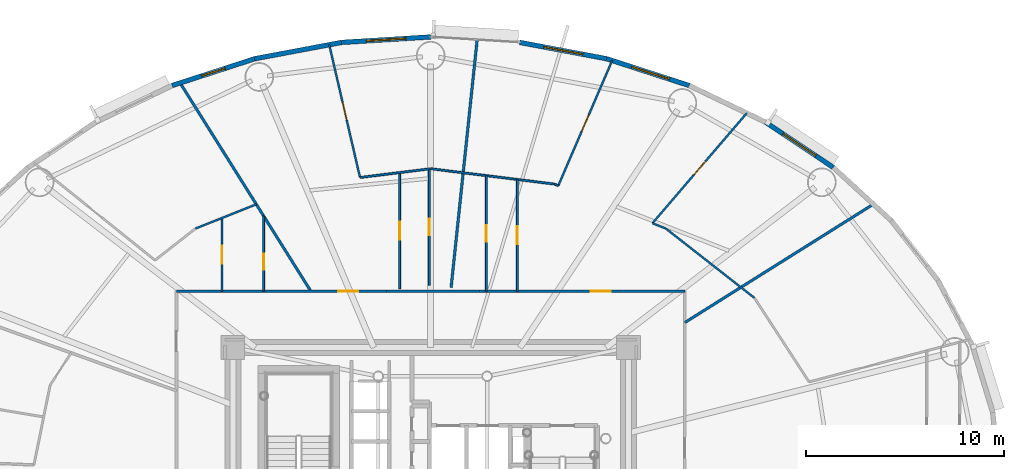
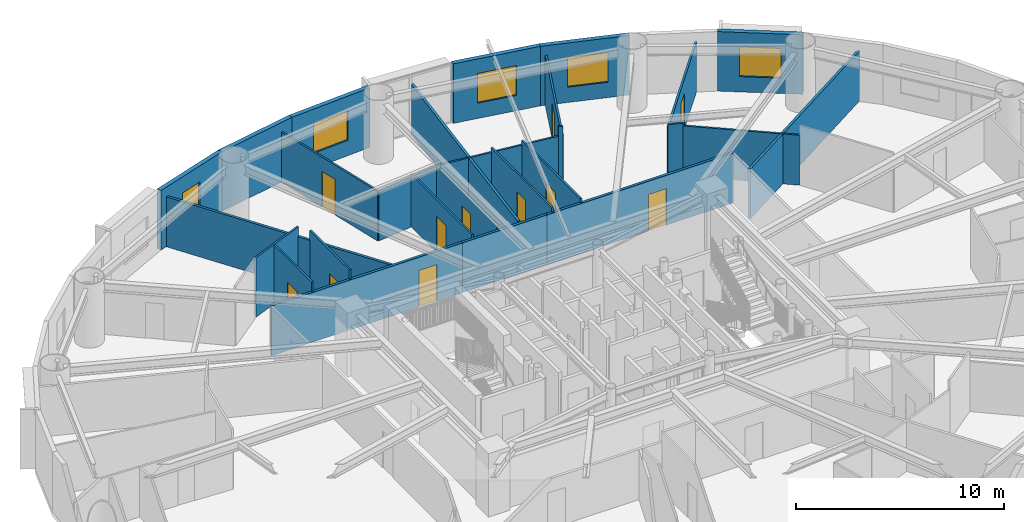
# One storey, part 12 of 18: 27 walls, 11 doors, 5 windows, 16 openings.
"""IFC4 building model written with IfcOpenShell, lengths in metres."""

from ifc_helpers import new_model, si_unit, direction, frame, frame_2d, origin, origin_2d, place, context, subcontext, project, spatial, rectangle, extrude, source, transform, mapped, material, layer, layer_set, type_object, element, fill, save


model = new_model("IFC4")

# Units and contexts
model_context = context("Model", 3, precision=1e-05, world=origin(), true_north=direction((0.0, 1.0)))
body_context = subcontext(model_context, "Body", "Model", "MODEL_VIEW")
ifc_project = project(units=[si_unit("LENGTHUNIT", "METRE"), si_unit("AREAUNIT", "SQUARE_METRE"), si_unit("VOLUMEUNIT", "CUBIC_METRE"), si_unit("PLANEANGLEUNIT", "RADIAN"), si_unit("MASSUNIT", "GRAM", prefix="KILO")], contexts=[model_context])

# Site, building, storey
site_placement = place(None, origin())
site = spatial("IfcSite", under=ifc_project, at=site_placement, CompositionType="ELEMENT")
building_placement = place(site_placement, origin())
building = spatial("IfcBuilding", under=site, at=building_placement, Name="Linh Dai School and Residence Tower", CompositionType="ELEMENT")
storey_placement = place(building_placement, frame((0.0, 0.0, 123.449951171875)))
storey = spatial("IfcBuildingStorey", under=building, at=storey_placement, Name="L29", CompositionType="ELEMENT", Elevation=123.449951171875)

# Wall, opening, window
ifc_material_1 = material(Name="Precast Concrete B45 (C35/45)", Category="concrete")
ifc_layer_1 = layer(ifc_material_1, 0.239990234375)
ifc_layer_set_1 = layer_set([ifc_layer_1], Name="Precast Concrete B45 (C35/45)")
wall_type_1 = type_object("IfcWallType", Name="EW-TC-240", PredefinedType="SOLIDWALL", material=ifc_layer_set_1)
wall_1_placement = place(storey_placement, frame((52.92529296875, 45.199462890625, 0.0), z_axis=(0.0, 0.0, 1.0), x_axis=(0.831221811447, -0.555940914284, 0.0)))
wall_1 = element("IfcWall", 1, at=wall_1_placement, inside=storey, type_object=wall_type_1, Name="L29 Terracotta Exterior Wall 06", PredefinedType="SOLIDWALL", context=body_context, shape_type="SweptSolid", body=[
    extrude(rectangle(XDim=4.130126953125, YDim=0.239990234375, at=frame_2d((2.06494140625, 0.0))), origin(), (0.0, 0.0, 1.0), 3.5),
])
opening_1_placement = place(wall_1_placement, frame((1.06494140625, 0.0, 0.89990234375)))
opening_1 = element("IfcOpeningElement", 2, at=opening_1_placement, cuts=wall_1, Name="Opening W1", PredefinedType="OPENING", context=body_context, shape_type="SweptSolid", body=[
    extrude(rectangle(XDim=2.0, YDim=1.75, at=origin_2d()), frame((1.0, 0.1298828125, 0.875), z_axis=(0.0, -1.0, 0.0), x_axis=(1.0, 0.0, 0.0)), (0.0, 0.0, 1.0), 0.260009765625),
])
ifc_material_2 = material(Name="Double Low-E Insulated Glazing", Category="glass")
window_type_1 = type_object("IfcWindowType", Name="WN-RES-2000x1750", PartitioningType="DOUBLE_PANEL_VERTICAL", PredefinedType="WINDOW", material=ifc_material_2)
shared_shape_1 = source(origin(), body_context, "Body", "SweptSolid", [
    extrude(rectangle(XDim=2.0, YDim=1.75, at=origin_2d()), frame((1.0, 0.030029296875, 0.875), z_axis=(0.0, -1.0, 0.0), x_axis=(1.0, 0.0, 0.0)), (0.0, 0.0, 1.0), 0.06005859375),
])
window_1_placement = place(opening_1_placement, origin())
window_1 = element("IfcWindow", 3, at=window_1_placement, inside=storey, type_object=window_type_1, Name="L29 Exterior Window 06.1", OverallHeight=1.75, OverallWidth=2.0, PartitioningType="DOUBLE_PANEL_VERTICAL", PredefinedType="WINDOW", context=body_context, shape_type="MappedRepresentation", body=[
    mapped(shared_shape_1, transform((0.0, 0.0, 0.0), x_axis=(1.0, 0.0, 0.0), y_axis=(0.0, 1.0, 0.0), z_axis=(0.0, 0.0, 1.0), scale=1.0)),
])
fill(opening_1, window_1)

wall_2_placement = place(storey_placement, frame((44.899658203125, 48.4013671875, 0.0), z_axis=(0.0, 0.0, 1.0), x_axis=(0.951211346073, -0.308540070495, 0.0)))
wall_2 = element("IfcWall", 4, at=wall_2_placement, inside=storey, type_object=wall_type_1, Name="L29 Terracotta Exterior Wall 08", PredefinedType="SOLIDWALL", context=body_context, shape_type="SweptSolid", body=[
    extrude(rectangle(XDim=4.388427734375, YDim=0.239990234375, at=frame_2d((2.1943359375, 0.0))), origin(), (0.0, 0.0, 1.0), 3.5),
])
opening_2_placement = place(wall_2_placement, frame((1.329345703125, 0.0, 0.89990234375)))
opening_2 = element("IfcOpeningElement", 5, at=opening_2_placement, cuts=wall_2, Name="Opening W1", PredefinedType="OPENING", context=body_context, shape_type="SweptSolid", body=[
    extrude(rectangle(XDim=2.0, YDim=1.75, at=origin_2d()), frame((1.0, 0.1298828125, 0.875), z_axis=(0.0, -1.0, 0.0), x_axis=(1.0, 0.0, 0.0)), (0.0, 0.0, 1.0), 0.260009765625),
])
window_2_placement = place(opening_2_placement, origin())
window_2 = element("IfcWindow", 6, at=window_2_placement, inside=storey, type_object=window_type_1, Name="L29 Exterior Window 08.1", OverallHeight=1.75, OverallWidth=2.0, PartitioningType="DOUBLE_PANEL_VERTICAL", PredefinedType="WINDOW", context=body_context, shape_type="MappedRepresentation", body=[
    mapped(shared_shape_1, transform((0.0, 0.0, 0.0), x_axis=(1.0, 0.0, 0.0), y_axis=(0.0, 1.0, 0.0), z_axis=(0.0, 0.0, 1.0), scale=1.0)),
])
fill(opening_2, window_2)

wall_3_placement = place(storey_placement, frame((40.505615234375, 49.227294921875, 0.0), z_axis=(0.0, 0.0, 1.0), x_axis=(0.982789252177, -0.184730305596, 0.0)))
wall_3 = element("IfcWall", 7, at=wall_3_placement, inside=storey, type_object=wall_type_1, Name="L29 Terracotta Exterior Wall 09", PredefinedType="SOLIDWALL", context=body_context, shape_type="SweptSolid", body=[
    extrude(rectangle(XDim=4.470947265625, YDim=0.239990234375, at=frame_2d((2.2353515625, 0.0))), origin(), (0.0, 0.0, 1.0), 3.5),
])
opening_3_placement = place(wall_3_placement, frame((1.235595703125, 0.0, 0.89990234375)))
opening_3 = element("IfcOpeningElement", 8, at=opening_3_placement, cuts=wall_3, Name="Opening W1", PredefinedType="OPENING", context=body_context, shape_type="SweptSolid", body=[
    extrude(rectangle(XDim=2.0, YDim=1.75, at=origin_2d()), frame((1.0, 0.1298828125, 0.875), z_axis=(0.0, -1.0, 0.0), x_axis=(1.0, 0.0, 0.0)), (0.0, 0.0, 1.0), 0.260009765625),
])
window_3_placement = place(opening_3_placement, origin())
window_3 = element("IfcWindow", 9, at=window_3_placement, inside=storey, type_object=window_type_1, Name="L29 Exterior Window 09.1", OverallHeight=1.75, OverallWidth=2.0, PartitioningType="DOUBLE_PANEL_VERTICAL", PredefinedType="WINDOW", context=body_context, shape_type="MappedRepresentation", body=[
    mapped(shared_shape_1, transform((0.0, 0.0, 0.0), x_axis=(1.0, 0.0, 0.0), y_axis=(0.0, 1.0, 0.0), z_axis=(0.0, 0.0, 1.0), scale=1.0)),
])
fill(opening_3, window_3)

wall_4_placement = place(storey_placement, frame((31.494384765625, 49.227294921875, 0.0), z_axis=(0.0, 0.0, 1.0), x_axis=(0.998107531589, 0.061492726276, 0.0)))
wall_4 = element("IfcWall", 10, at=wall_4_placement, inside=storey, type_object=wall_type_1, Name="L29 Terracotta Exterior Wall 11", PredefinedType="SOLIDWALL", context=body_context, shape_type="SweptSolid", body=[
    extrude(rectangle(XDim=4.51416015625, YDim=0.239990234375, at=frame_2d((2.257080078125, 0.0))), origin(), (0.0, 0.0, 1.0), 3.5),
])
opening_4_placement = place(wall_4_placement, frame((1.257080078125, 0.0, 0.89990234375)))
opening_4 = element("IfcOpeningElement", 11, at=opening_4_placement, cuts=wall_4, Name="Opening W1", PredefinedType="OPENING", context=body_context, shape_type="SweptSolid", body=[
    extrude(rectangle(XDim=2.0, YDim=1.75, at=origin_2d()), frame((1.0, 0.1298828125, 0.875), z_axis=(0.0, -1.0, 0.0), x_axis=(1.0, 0.0, 0.0)), (0.0, 0.0, 1.0), 0.260009765625),
])
window_4_placement = place(opening_4_placement, origin())
window_4 = element("IfcWindow", 12, at=window_4_placement, inside=storey, type_object=window_type_1, Name="L29 Exterior Window 11.1", OverallHeight=1.75, OverallWidth=2.0, PartitioningType="DOUBLE_PANEL_VERTICAL", PredefinedType="WINDOW", context=body_context, shape_type="MappedRepresentation", body=[
    mapped(shared_shape_1, transform((0.0, 0.0, 0.0), x_axis=(1.0, 0.0, 0.0), y_axis=(0.0, 1.0, 0.0), z_axis=(0.0, 0.0, 1.0), scale=1.0)),
])
fill(opening_4, window_4)

# Wall
wall_5_placement = place(storey_placement, frame((27.100341796875, 48.4013671875, 0.0), z_axis=(0.0, 0.0, 1.0), x_axis=(0.982789252177, 0.184730305596, 0.0)))
element("IfcWall", 13, at=wall_5_placement, inside=storey, type_object=wall_type_1, Name="L29 Terracotta Exterior Wall 12", PredefinedType="SOLIDWALL", context=body_context, shape_type="SweptSolid", body=[
    extrude(rectangle(XDim=4.470947265625, YDim=0.239990234375, at=frame_2d((2.2353515625, 0.0))), origin(), (0.0, 0.0, 1.0), 3.5),
])

# Wall, opening, window
wall_6_placement = place(storey_placement, frame((22.926025390625, 47.04736328125, 0.0), z_axis=(0.0, 0.0, 1.0), x_axis=(0.951211346073, 0.308540070495, 0.0)))
wall_6 = element("IfcWall", 14, at=wall_6_placement, inside=storey, type_object=wall_type_1, Name="L29 Terracotta Exterior Wall 13", PredefinedType="SOLIDWALL", context=body_context, shape_type="SweptSolid", body=[
    extrude(rectangle(XDim=4.388427734375, YDim=0.239990234375, at=frame_2d((2.1943359375, 0.0))), origin(), (0.0, 0.0, 1.0), 3.5),
])
opening_5_placement = place(wall_6_placement, frame((1.569091796875, 0.0, 0.89990234375)))
opening_5 = element("IfcOpeningElement", 15, at=opening_5_placement, cuts=wall_6, Name="Opening W3", PredefinedType="OPENING", context=body_context, shape_type="SweptSolid", body=[
    extrude(rectangle(XDim=1.25, YDim=1.64990234375, at=origin_2d()), frame((0.625, 0.1298828125, 0.824951171875), z_axis=(0.0, -1.0, 0.0), x_axis=(1.0, 0.0, 0.0)), (0.0, 0.0, 1.0), 0.260009765625),
])
window_type_2 = type_object("IfcWindowType", Name="WN-RES-1250x1650", PartitioningType="SINGLE_PANEL", PredefinedType="WINDOW", material=ifc_material_2)
shared_shape_2 = source(origin(), body_context, "Body", "SweptSolid", [
    extrude(rectangle(XDim=1.25, YDim=1.64990234375, at=origin_2d()), frame((0.625, 0.030029296875, 0.824951171875), z_axis=(0.0, -1.0, 0.0), x_axis=(1.0, 0.0, 0.0)), (0.0, 0.0, 1.0), 0.06005859375),
])
window_5_placement = place(opening_5_placement, origin())
window_5 = element("IfcWindow", 16, at=window_5_placement, inside=storey, type_object=window_type_2, Name="L29 Dwelling Window U2901-LIV", OverallHeight=1.64990234375, OverallWidth=1.25, PartitioningType="SINGLE_PANEL", PredefinedType="WINDOW", context=body_context, shape_type="MappedRepresentation", body=[
    mapped(shared_shape_2, transform((0.0, 0.0, 0.0), x_axis=(1.0, 0.0, 0.0), y_axis=(0.0, 1.0, 0.0), z_axis=(0.0, 0.0, 1.0), scale=1.0)),
])
fill(opening_5, window_5)

# Wall, opening, door
ifc_material_3 = material(Name="Autoclaved Aerated Concrete Blockwork", Category="masonry")
ifc_layer_2 = layer(ifc_material_3, 0.135009765625)
ifc_layer_set_2 = layer_set([ifc_layer_2], Name="Autoclaved Aerated Concrete Blockwork")
wall_type_2 = type_object("IfcWallType", Name="IW-CORR-135-EI90", PredefinedType="PARTITIONING", material=ifc_layer_set_2)
wall_7_placement = place(storey_placement, frame((23.14990234375, 36.64990234375, 0.0), z_axis=(0.0, 0.0, 1.0), x_axis=(1.0, 0.0, 0.0)))
wall_7 = element("IfcWall", 17, at=wall_7_placement, inside=storey, type_object=wall_type_2, Name="L29 Interior Partition Wall 019", PredefinedType="PARTITIONING", context=body_context, shape_type="SweptSolid", body=[
    extrude(rectangle(XDim=10.61181640625, YDim=0.135009765625, at=frame_2d((5.305908203125, 0.0))), origin(), (0.0, 0.0, 1.0), 2.93505859375),
])
opening_6_placement = place(wall_7_placement, frame((8.18212890625, 0.0, 0.0)))
opening_6 = element("IfcOpeningElement", 18, at=opening_6_placement, cuts=wall_7, Name="Opening D03", PredefinedType="OPENING", context=body_context, shape_type="SweptSolid", body=[
    extrude(rectangle(XDim=1.0, YDim=2.14990234375, at=origin_2d()), frame((0.5, 0.07763671875, 1.074951171875), z_axis=(0.0, -1.0, 0.0), x_axis=(1.0, 0.0, 0.0)), (0.0, 0.0, 1.0), 0.155029296875),
])
ifc_material_4 = material(Name="Fire-Rated Solid Timber Entrance Door", Category="wood")
door_type_1 = type_object("IfcDoorType", Name="DR-FLAT-1000x2150-FD60S", OperationType="NOTDEFINED", PredefinedType="DOOR", material=ifc_material_4)
shared_shape_3 = source(origin(), body_context, "Body", "SweptSolid", [
    extrude(rectangle(XDim=1.0, YDim=2.14990234375, at=origin_2d()), frame((0.5, 0.02490234375, 1.074951171875), z_axis=(0.0, -1.0, 0.0), x_axis=(1.0, 0.0, 0.0)), (0.0, 0.0, 1.0), 0.050048828125),
])
door_1_placement = place(opening_6_placement, origin())
door_1 = element("IfcDoor", 19, at=door_1_placement, inside=storey, type_object=door_type_1, Name="L29 U2901 Apartment Entrance Door", OperationType="SINGLE_SWING_LEFT", OverallHeight=2.14990234375, OverallWidth=1.0, PredefinedType="DOOR", context=body_context, shape_type="MappedRepresentation", body=[
    mapped(shared_shape_3, transform((0.0, 0.0, 0.0), x_axis=(1.0, 0.0, 0.0), y_axis=(0.0, 1.0, 0.0), z_axis=(0.0, 0.0, 1.0), scale=1.0)),
])
fill(opening_6, door_1)

# Walls
wall_8_placement = place(storey_placement, frame((23.330078125, 47.18359375, 0.0), z_axis=(0.0, 0.0, 1.0), x_axis=(0.531660079213, -0.846957826678, 0.0)))
element("IfcWall", 20, at=wall_8_placement, inside=storey, type_object=wall_type_2, Name="L29 Interior Partition Wall 020", PredefinedType="PARTITIONING", context=body_context, shape_type="SweptSolid", body=[
    extrude(rectangle(XDim=12.43701171875, YDim=0.135009765625, at=frame_2d((6.218505859375, 0.0))), origin(), (0.0, 0.0, 1.0), 2.93505859375),
])
wall_9_placement = place(storey_placement, frame((37.032958984375, 36.8291015625, 0.0), z_axis=(0.0, 0.0, 1.0), x_axis=(0.104530526966, 0.994521678463, 0.0)))
element("IfcWall", 21, at=wall_9_placement, inside=storey, type_object=wall_type_2, Name="L29 Interior Partition Wall 059", PredefinedType="PARTITIONING", context=body_context, shape_type="SweptSolid", body=[
    extrude(rectangle(XDim=12.605224609375, YDim=0.135009765625, at=frame_2d((6.302734375, 0.0))), origin(), (0.0, 0.0, 1.0), 2.93505859375),
])

# Wall, opening, door
wall_10_placement = place(storey_placement, frame((38.47705078125, 36.64990234375, 0.0), z_axis=(0.0, 0.0, 1.0), x_axis=(1.0, 0.0, 0.0)))
wall_10 = element("IfcWall", 22, at=wall_10_placement, inside=storey, type_object=wall_type_2, Name="L29 Interior Partition Wall 061", PredefinedType="PARTITIONING", context=body_context, shape_type="SweptSolid", body=[
    extrude(rectangle(XDim=10.373046875, YDim=0.135009765625, at=frame_2d((5.1865234375, 0.0))), origin(), (0.0, 0.0, 1.0), 2.93505859375),
])
opening_7_placement = place(wall_10_placement, frame((5.62109375, 0.0, 0.0)))
opening_7 = element("IfcOpeningElement", 23, at=opening_7_placement, cuts=wall_10, Name="Opening D03", PredefinedType="OPENING", context=body_context, shape_type="SweptSolid", body=[
    extrude(rectangle(XDim=1.0, YDim=2.14990234375, at=origin_2d()), frame((0.5, 0.07763671875, 1.074951171875), z_axis=(0.0, -1.0, 0.0), x_axis=(1.0, 0.0, 0.0)), (0.0, 0.0, 1.0), 0.155029296875),
])
door_2_placement = place(opening_7_placement, origin())
door_2 = element("IfcDoor", 24, at=door_2_placement, inside=storey, type_object=door_type_1, Name="L29 U2908 Apartment Entrance Door", OperationType="SINGLE_SWING_RIGHT", OverallHeight=2.14990234375, OverallWidth=1.0, PredefinedType="DOOR", context=body_context, shape_type="MappedRepresentation", body=[
    mapped(shared_shape_3, transform((0.0, 0.0, 0.0), x_axis=(1.0, 0.0, 0.0), y_axis=(0.0, 1.0, 0.0), z_axis=(0.0, 0.0, 1.0), scale=1.0)),
])
fill(opening_7, door_2)

# Walls
wall_11_placement = place(storey_placement, frame((48.85009765625, 35.06640625, 0.0), z_axis=(0.0, 0.0, 1.0), x_axis=(0.846963568038, 0.531650932866, 0.0)))
element("IfcWall", 25, at=wall_11_placement, inside=storey, type_object=wall_type_2, Name="L29 Interior Partition Wall 088", PredefinedType="PARTITIONING", context=body_context, shape_type="SweptSolid", body=[
    extrude(rectangle(XDim=11.258056640625, YDim=0.135009765625, at=frame_2d((5.62890625, 0.0))), origin(), (0.0, 0.0, 1.0), 2.93505859375),
])
wall_12_placement = place(storey_placement, frame((33.771728515625, 36.64990234375, 0.0), z_axis=(0.0, 0.0, 1.0), x_axis=(1.0, 0.0, 0.0)))
element("IfcWall", 26, at=wall_12_placement, inside=storey, type_object=wall_type_2, Name="L29 Interior Partition Wall 108", PredefinedType="PARTITIONING", context=body_context, shape_type="SweptSolid", body=[
    extrude(rectangle(XDim=4.6953125, YDim=0.135009765625, at=frame_2d((2.34765625, 0.0))), origin(), (0.0, 0.0, 1.0), 2.93505859375),
])
ifc_material_5 = material(Name="Gypsum Plasterboard Acoustic Stud Partition", Category="masonry")
ifc_layer_3 = layer(ifc_material_5, 0.10009765625)
ifc_layer_set_3 = layer_set([ifc_layer_3], Name="Gypsum Plasterboard Acoustic Stud Partition")
wall_type_3 = type_object("IfcWallType", Name="IW-UNIT-100", PredefinedType="PARTITIONING", material=ifc_layer_set_3)
wall_13_placement = place(storey_placement, frame((24.109130859375, 39.815673828125, 0.0), z_axis=(0.0, 0.0, 1.0), x_axis=(0.928811896505, 0.370551563092, 0.0)))
element("IfcWall", 27, at=wall_13_placement, inside=storey, type_object=wall_type_3, Name="L29 Interior Partition Wall 022", PredefinedType="PARTITIONING", context=body_context, shape_type="SweptSolid", body=[
    extrude(rectangle(XDim=3.3115234375, YDim=0.10009765625, at=frame_2d((1.65576171875, 0.0))), origin(), (0.0, 0.0, 1.0), 3.5),
])

# Wall, opening, door
wall_14_placement = place(storey_placement, frame((25.45068359375, 36.64990234375, 0.0), z_axis=(0.0, 0.0, 1.0), x_axis=(0.0, 1.0, 0.0)))
wall_14 = element("IfcWall", 28, at=wall_14_placement, inside=storey, type_object=wall_type_3, Name="L29 Interior Partition Wall 023", PredefinedType="PARTITIONING", context=body_context, shape_type="SweptSolid", body=[
    extrude(rectangle(XDim=3.700927734375, YDim=0.10009765625, at=frame_2d((1.8505859375, 0.0))), origin(), (0.0, 0.0, 1.0), 3.5),
])
opening_8_placement = place(wall_14_placement, frame((1.400390625, 0.0, 0.0)))
opening_8 = element("IfcOpeningElement", 29, at=opening_8_placement, cuts=wall_14, Name="Opening D05", PredefinedType="OPENING", context=body_context, shape_type="SweptSolid", body=[
    extrude(rectangle(XDim=0.89990234375, YDim=2.10009765625, at=origin_2d()), frame((0.449951171875, 0.06005859375, 1.050048828125), z_axis=(0.0, -1.0, 0.0), x_axis=(1.0, 0.0, 0.0)), (0.0, 0.0, 1.0), 0.1201171875),
])
ifc_material_6 = material(Name="Engineered Timber Internal Door", Category="wood")
door_type_2 = type_object("IfcDoorType", Name="DR-INT-900x2100", OperationType="NOTDEFINED", PredefinedType="DOOR", material=ifc_material_6)
shared_shape_4 = source(origin(), body_context, "Body", "SweptSolid", [
    extrude(rectangle(XDim=0.89990234375, YDim=2.10009765625, at=origin_2d()), frame((0.449951171875, 0.02490234375, 1.050048828125), z_axis=(0.0, -1.0, 0.0), x_axis=(1.0, 0.0, 0.0)), (0.0, 0.0, 1.0), 0.050048828125),
])
door_3_placement = place(opening_8_placement, origin())
door_3 = element("IfcDoor", 30, at=door_3_placement, inside=storey, type_object=door_type_2, Name="L29 Apartment U2902 Kitchen Door", OperationType="SINGLE_SWING_LEFT", OverallHeight=2.10009765625, OverallWidth=0.89990234375, PredefinedType="DOOR", context=body_context, shape_type="MappedRepresentation", body=[
    mapped(shared_shape_4, transform((0.0, 0.0, 0.0), x_axis=(1.0, 0.0, 0.0), y_axis=(0.0, 1.0, 0.0), z_axis=(0.0, 0.0, 1.0), scale=1.0)),
])
fill(opening_8, door_3)

wall_15_placement = place(storey_placement, frame((27.55322265625, 36.64990234375, 0.0), z_axis=(0.0, 0.0, 1.0), x_axis=(0.0, 1.0, 0.0)))
wall_15 = element("IfcWall", 31, at=wall_15_placement, inside=storey, type_object=wall_type_3, Name="L29 Interior Partition Wall 024", PredefinedType="PARTITIONING", context=body_context, shape_type="SweptSolid", body=[
    extrude(rectangle(XDim=3.80615234375, YDim=0.10009765625, at=frame_2d((1.903076171875, 0.0))), origin(), (0.0, 0.0, 1.0), 3.5),
])
opening_9_placement = place(wall_15_placement, frame((1.0810546875, 0.0, 0.0)))
opening_9 = element("IfcOpeningElement", 32, at=opening_9_placement, cuts=wall_15, Name="Opening D06", PredefinedType="OPENING", context=body_context, shape_type="SweptSolid", body=[
    extrude(rectangle(XDim=0.820068359375, YDim=2.10009765625, at=origin_2d()), frame((0.41015625, 0.06005859375, 1.050048828125), z_axis=(0.0, -1.0, 0.0), x_axis=(1.0, 0.0, 0.0)), (0.0, 0.0, 1.0), 0.1201171875),
])
ifc_material_7 = material(Name="Moisture-Resistant Timber Bathroom Door", Category="wood")
door_type_3 = type_object("IfcDoorType", Name="DR-WET-820x2100", OperationType="NOTDEFINED", PredefinedType="DOOR", material=ifc_material_7)
shared_shape_5 = source(origin(), body_context, "Body", "SweptSolid", [
    extrude(rectangle(XDim=0.820068359375, YDim=2.10009765625, at=origin_2d()), frame((0.41015625, 0.02490234375, 1.050048828125), z_axis=(0.0, -1.0, 0.0), x_axis=(1.0, 0.0, 0.0)), (0.0, 0.0, 1.0), 0.050048828125),
])
door_4_placement = place(opening_9_placement, origin())
door_4 = element("IfcDoor", 33, at=door_4_placement, inside=storey, type_object=door_type_3, Name="L29 Apartment U2902 Bathroom 1 Door", OperationType="SINGLE_SWING_RIGHT", OverallHeight=2.10009765625, OverallWidth=0.820068359375, PredefinedType="DOOR", context=body_context, shape_type="MappedRepresentation", body=[
    mapped(shared_shape_5, transform((0.0, 0.0, 0.0), x_axis=(1.0, 0.0, 0.0), y_axis=(0.0, 1.0, 0.0), z_axis=(0.0, 0.0, 1.0), scale=1.0)),
])
fill(opening_9, door_4)

wall_16_placement = place(storey_placement, frame((30.870361328125, 49.114990234375, 0.0), z_axis=(0.0, 0.0, 1.0), x_axis=(0.225963524246, -0.97413576349, 0.0)))
wall_16 = element("IfcWall", 34, at=wall_16_placement, inside=storey, type_object=wall_type_3, Name="L29 Interior Partition Wall 028", PredefinedType="PARTITIONING", context=body_context, shape_type="SweptSolid", body=[
    extrude(rectangle(XDim=6.895263671875, YDim=0.10009765625, at=frame_2d((3.44775390625, 0.0))), origin(), (0.0, 0.0, 1.0), 2.93505859375),
])
opening_10_placement = place(wall_16_placement, frame((2.997802734375, 0.0, 0.0)))
opening_10 = element("IfcOpeningElement", 35, at=opening_10_placement, cuts=wall_16, Name="Opening D05", PredefinedType="OPENING", context=body_context, shape_type="SweptSolid", body=[
    extrude(rectangle(XDim=0.89990234375, YDim=2.10009765625, at=origin_2d()), frame((0.449951171875, 0.06005859375, 1.050048828125), z_axis=(0.0, -1.0, 0.0), x_axis=(1.0, 0.0, 0.0)), (0.0, 0.0, 1.0), 0.1201171875),
])
door_5_placement = place(opening_10_placement, origin())
door_5 = element("IfcDoor", 36, at=door_5_placement, inside=storey, type_object=door_type_2, Name="L29 Apartment U2901 Principal Bedroom 1 Door", OperationType="SINGLE_SWING_RIGHT", OverallHeight=2.10009765625, OverallWidth=0.89990234375, PredefinedType="DOOR", context=body_context, shape_type="MappedRepresentation", body=[
    mapped(shared_shape_4, transform((0.0, 0.0, 0.0), x_axis=(1.0, 0.0, 0.0), y_axis=(0.0, 1.0, 0.0), z_axis=(0.0, 0.0, 1.0), scale=1.0)),
])
fill(opening_10, door_5)

# Wall
wall_17_placement = place(storey_placement, frame((32.428466796875, 42.39794921875, 0.0), z_axis=(0.0, 0.0, 1.0), x_axis=(0.992389102891, 0.123141660146, 0.0)))
element("IfcWall", 37, at=wall_17_placement, inside=storey, type_object=wall_type_3, Name="L29 Interior Partition Wall 037", PredefinedType="PARTITIONING", context=body_context, shape_type="SweptSolid", body=[
    extrude(rectangle(XDim=3.532958984375, YDim=0.10009765625, at=frame_2d((1.7666015625, 0.0))), origin(), (0.0, 0.0, 1.0), 2.93505859375),
])

# Wall, opening, door
wall_18_placement = place(storey_placement, frame((34.430419921875, 36.762451171875, 0.0), z_axis=(0.0, 0.0, 1.0), x_axis=(0.0, 1.0, 0.0)))
wall_18 = element("IfcWall", 38, at=wall_18_placement, inside=storey, type_object=wall_type_3, Name="L29 Interior Partition Wall 040", PredefinedType="PARTITIONING", context=body_context, shape_type="SweptSolid", body=[
    extrude(rectangle(XDim=5.8837890625, YDim=0.10009765625, at=frame_2d((2.94189453125, 0.0))), origin(), (0.0, 0.0, 1.0), 3.0849609375),
])
opening_11_placement = place(wall_18_placement, frame((2.491943359375, 0.0, 0.0)))
opening_11 = element("IfcOpeningElement", 39, at=opening_11_placement, cuts=wall_18, Name="Opening D05", PredefinedType="OPENING", context=body_context, shape_type="SweptSolid", body=[
    extrude(rectangle(XDim=0.89990234375, YDim=2.10009765625, at=origin_2d()), frame((0.449951171875, 0.06005859375, 1.050048828125), z_axis=(0.0, -1.0, 0.0), x_axis=(1.0, 0.0, 0.0)), (0.0, 0.0, 1.0), 0.1201171875),
])
door_6_placement = place(opening_11_placement, origin())
door_6 = element("IfcDoor", 40, at=door_6_placement, inside=storey, type_object=door_type_2, Name="L29 Apartment U2901 Kitchen Door", OperationType="SINGLE_SWING_LEFT", OverallHeight=2.10009765625, OverallWidth=0.89990234375, PredefinedType="DOOR", context=body_context, shape_type="MappedRepresentation", body=[
    mapped(shared_shape_4, transform((0.0, 0.0, 0.0), x_axis=(1.0, 0.0, 0.0), y_axis=(0.0, 1.0, 0.0), z_axis=(0.0, 0.0, 1.0), scale=1.0)),
])
fill(opening_11, door_6)

wall_19_placement = place(storey_placement, frame((35.9345703125, 36.948974609375, 0.0), z_axis=(0.0, 0.0, 1.0), x_axis=(0.0, 1.0, 0.0)))
wall_19 = element("IfcWall", 41, at=wall_19_placement, inside=storey, type_object=wall_type_3, Name="L29 Interior Partition Wall 053", PredefinedType="PARTITIONING", context=body_context, shape_type="SweptSolid", body=[
    extrude(rectangle(XDim=5.8837890625, YDim=0.10009765625, at=frame_2d((2.94189453125, 0.0))), origin(), (0.0, 0.0, 1.0), 2.93505859375),
])
opening_12_placement = place(wall_19_placement, frame((2.531982421875, 0.0, 0.0)))
opening_12 = element("IfcOpeningElement", 42, at=opening_12_placement, cuts=wall_19, Name="Opening D06", PredefinedType="OPENING", context=body_context, shape_type="SweptSolid", body=[
    extrude(rectangle(XDim=0.820068359375, YDim=2.10009765625, at=origin_2d()), frame((0.41015625, 0.06005859375, 1.050048828125), z_axis=(0.0, -1.0, 0.0), x_axis=(1.0, 0.0, 0.0)), (0.0, 0.0, 1.0), 0.1201171875),
])
door_7_placement = place(opening_12_placement, origin())
door_7 = element("IfcDoor", 43, at=door_7_placement, inside=storey, type_object=door_type_3, Name="L29 Apartment U2901 Bathroom 1 Door", OperationType="SINGLE_SWING_RIGHT", OverallHeight=2.10009765625, OverallWidth=0.820068359375, PredefinedType="DOOR", context=body_context, shape_type="MappedRepresentation", body=[
    mapped(shared_shape_5, transform((0.0, 0.0, 0.0), x_axis=(1.0, 0.0, 0.0), y_axis=(0.0, 1.0, 0.0), z_axis=(0.0, 0.0, 1.0), scale=1.0)),
])
fill(opening_12, door_7)

# Wall
wall_20_placement = place(storey_placement, frame((36.0, 42.841064453125, 0.0), z_axis=(0.0, 0.0, 1.0), x_axis=(0.992395485088, -0.123090215599, 0.0)))
element("IfcWall", 44, at=wall_20_placement, inside=storey, type_object=wall_type_3, Name="L29 Interior Partition Wall 056", PredefinedType="PARTITIONING", context=body_context, shape_type="SweptSolid", body=[
    extrude(rectangle(XDim=6.29931640625, YDim=0.10009765625, at=frame_2d((3.149658203125, 0.0))), origin(), (0.0, 0.0, 1.0), 2.93505859375),
])

# Wall, opening, door
wall_21_placement = place(storey_placement, frame((38.816650390625, 36.64990234375, 0.0), z_axis=(0.0, 0.0, 1.0), x_axis=(0.0, 1.0, 0.0)))
wall_21 = element("IfcWall", 45, at=wall_21_placement, inside=storey, type_object=wall_type_3, Name="L29 Interior Partition Wall 064", PredefinedType="PARTITIONING", context=body_context, shape_type="SweptSolid", body=[
    extrude(rectangle(XDim=5.841796875, YDim=0.10009765625, at=frame_2d((2.9208984375, 0.0))), origin(), (0.0, 0.0, 1.0), 3.18505859375),
])
opening_13_placement = place(wall_21_placement, frame((2.5107421875, 0.0, 0.0)))
opening_13 = element("IfcOpeningElement", 46, at=opening_13_placement, cuts=wall_21, Name="Opening D06", PredefinedType="OPENING", context=body_context, shape_type="SweptSolid", body=[
    extrude(rectangle(XDim=0.820068359375, YDim=2.10009765625, at=origin_2d()), frame((0.41015625, 0.06005859375, 1.050048828125), z_axis=(0.0, -1.0, 0.0), x_axis=(1.0, 0.0, 0.0)), (0.0, 0.0, 1.0), 0.1201171875),
])
door_8_placement = place(opening_13_placement, origin())
door_8 = element("IfcDoor", 47, at=door_8_placement, inside=storey, type_object=door_type_3, Name="L29 Apartment U2908 Bathroom 1 Door", OperationType="SINGLE_SWING_RIGHT", OverallHeight=2.10009765625, OverallWidth=0.820068359375, PredefinedType="DOOR", context=body_context, shape_type="MappedRepresentation", body=[
    mapped(shared_shape_5, transform((0.0, 0.0, 0.0), x_axis=(1.0, 0.0, 0.0), y_axis=(0.0, 1.0, 0.0), z_axis=(0.0, 0.0, 1.0), scale=1.0)),
])
fill(opening_13, door_8)

wall_22_placement = place(storey_placement, frame((40.38623046875, 36.64990234375, 0.0), z_axis=(0.0, 0.0, 1.0), x_axis=(0.0, 1.0, 0.0)))
wall_22 = element("IfcWall", 48, at=wall_22_placement, inside=storey, type_object=wall_type_3, Name="L29 Interior Partition Wall 072", PredefinedType="PARTITIONING", context=body_context, shape_type="SweptSolid", body=[
    extrude(rectangle(XDim=5.647216796875, YDim=0.10009765625, at=frame_2d((2.82373046875, 0.0))), origin(), (0.0, 0.0, 1.0), 3.18505859375),
])
opening_14_placement = place(wall_22_placement, frame((2.37353515625, 0.0, 0.0)))
opening_14 = element("IfcOpeningElement", 49, at=opening_14_placement, cuts=wall_22, Name="Opening D05", PredefinedType="OPENING", context=body_context, shape_type="SweptSolid", body=[
    extrude(rectangle(XDim=0.89990234375, YDim=2.10009765625, at=origin_2d()), frame((0.449951171875, 0.06005859375, 1.050048828125), z_axis=(0.0, -1.0, 0.0), x_axis=(1.0, 0.0, 0.0)), (0.0, 0.0, 1.0), 0.1201171875),
])
door_9_placement = place(opening_14_placement, origin())
door_9 = element("IfcDoor", 50, at=door_9_placement, inside=storey, type_object=door_type_2, Name="L29 Apartment U2908 Kitchen Door", OperationType="SINGLE_SWING_LEFT", OverallHeight=2.10009765625, OverallWidth=0.89990234375, PredefinedType="DOOR", context=body_context, shape_type="MappedRepresentation", body=[
    mapped(shared_shape_4, transform((0.0, 0.0, 0.0), x_axis=(1.0, 0.0, 0.0), y_axis=(0.0, 1.0, 0.0), z_axis=(0.0, 0.0, 1.0), scale=1.0)),
])
fill(opening_14, door_9)

# Wall
wall_23_placement = place(storey_placement, frame((42.25146484375, 42.065673828125, 0.0), z_axis=(0.0, 0.0, 1.0), x_axis=(0.928632622675, -0.371000609303, 0.0)))
element("IfcWall", 51, at=wall_23_placement, inside=storey, type_object=wall_type_3, Name="L29 Interior Partition Wall 077", PredefinedType="PARTITIONING", context=body_context, shape_type="SweptSolid", body=[
    extrude(rectangle(XDim=0.2158203125, YDim=0.10009765625, at=frame_2d((0.10791015625, 0.0))), origin(), (0.0, 0.0, 1.0), 3.5),
])

# Wall, opening, door
wall_24_placement = place(storey_placement, frame((42.451904296875, 41.985595703125, 0.0), z_axis=(0.0, 0.0, 1.0), x_axis=(0.395466235438, 0.918480515105, 0.0)))
wall_24 = element("IfcWall", 52, at=wall_24_placement, inside=storey, type_object=wall_type_3, Name="L29 Interior Partition Wall 078", PredefinedType="PARTITIONING", context=body_context, shape_type="SweptSolid", body=[
    extrude(rectangle(XDim=6.892578125, YDim=0.10009765625, at=frame_2d((3.4462890625, 0.0))), origin(), (0.0, 0.0, 1.0), 2.93505859375),
])
opening_15_placement = place(wall_24_placement, frame((2.996337890625, 0.0, 0.0)))
opening_15 = element("IfcOpeningElement", 53, at=opening_15_placement, cuts=wall_24, Name="Opening D05", PredefinedType="OPENING", context=body_context, shape_type="SweptSolid", body=[
    extrude(rectangle(XDim=0.89990234375, YDim=2.10009765625, at=origin_2d()), frame((0.449951171875, 0.06005859375, 1.050048828125), z_axis=(0.0, -1.0, 0.0), x_axis=(1.0, 0.0, 0.0)), (0.0, 0.0, 1.0), 0.1201171875),
])
door_10_placement = place(opening_15_placement, origin())
door_10 = element("IfcDoor", 54, at=door_10_placement, inside=storey, type_object=door_type_2, Name="L29 Apartment U2908 Principal Bedroom 2 Door", OperationType="SINGLE_SWING_RIGHT", OverallHeight=2.10009765625, OverallWidth=0.89990234375, PredefinedType="DOOR", context=body_context, shape_type="MappedRepresentation", body=[
    mapped(shared_shape_4, transform((0.0, 0.0, 0.0), x_axis=(1.0, 0.0, 0.0), y_axis=(0.0, 1.0, 0.0), z_axis=(0.0, 0.0, 1.0), scale=1.0)),
])
fill(opening_15, door_10)

# Wall
wall_25_placement = place(storey_placement, frame((47.2119140625, 40.086669921875, 0.0), z_axis=(0.0, 0.0, 1.0), x_axis=(0.928752817467, -0.370699614307, 0.0)))
element("IfcWall", 55, at=wall_25_placement, inside=storey, type_object=wall_type_3, Name="L29 Interior Partition Wall 082", PredefinedType="PARTITIONING", context=body_context, shape_type="SweptSolid", body=[
    extrude(rectangle(XDim=0.73095703125, YDim=0.10009765625, at=frame_2d((0.365478515625, 0.0))), origin(), (0.0, 0.0, 1.0), 3.0849609375),
])

# Wall, opening, door
wall_26_placement = place(storey_placement, frame((47.2119140625, 40.086669921875, 0.0), z_axis=(0.0, 0.0, 1.0), x_axis=(0.650621399292, 0.759402261508, 0.0)))
wall_26 = element("IfcWall", 56, at=wall_26_placement, inside=storey, type_object=wall_type_3, Name="L29 Interior Partition Wall 083", PredefinedType="PARTITIONING", context=body_context, shape_type="SweptSolid", body=[
    extrude(rectangle(XDim=7.33447265625, YDim=0.10009765625, at=frame_2d((3.667236328125, 0.0))), origin(), (0.0, 0.0, 1.0), 2.93505859375),
])
opening_16_placement = place(wall_26_placement, frame((3.21728515625, 0.0, 0.0)))
opening_16 = element("IfcOpeningElement", 57, at=opening_16_placement, cuts=wall_26, Name="Opening D05", PredefinedType="OPENING", context=body_context, shape_type="SweptSolid", body=[
    extrude(rectangle(XDim=0.89990234375, YDim=2.10009765625, at=origin_2d()), frame((0.449951171875, 0.06005859375, 1.050048828125), z_axis=(0.0, -1.0, 0.0), x_axis=(1.0, 0.0, 0.0)), (0.0, 0.0, 1.0), 0.1201171875),
])
door_11_placement = place(opening_16_placement, origin())
door_11 = element("IfcDoor", 58, at=door_11_placement, inside=storey, type_object=door_type_2, Name="L29 Apartment U2908 Principal Bedroom 1 Door", OperationType="SINGLE_SWING_LEFT", OverallHeight=2.10009765625, OverallWidth=0.89990234375, PredefinedType="DOOR", context=body_context, shape_type="MappedRepresentation", body=[
    mapped(shared_shape_4, transform((0.0, 0.0, 0.0), x_axis=(1.0, 0.0, 0.0), y_axis=(0.0, 1.0, 0.0), z_axis=(0.0, 0.0, 1.0), scale=1.0)),
])
fill(opening_16, door_11)

# Wall
wall_27_placement = place(storey_placement, frame((47.890869140625, 39.815673828125, 0.0), z_axis=(0.0, 0.0, 1.0), x_axis=(0.787338202739, -0.616521333376, 0.0)))
element("IfcWall", 59, at=wall_27_placement, inside=storey, type_object=wall_type_3, Name="L29 Interior Partition Wall 085", PredefinedType="PARTITIONING", context=body_context, shape_type="SweptSolid", body=[
    extrude(rectangle(XDim=5.68408203125, YDim=0.10009765625, at=frame_2d((2.842041015625, 0.0))), origin(), (0.0, 0.0, 1.0), 2.93505859375),
])

save(model, "model.ifc")
